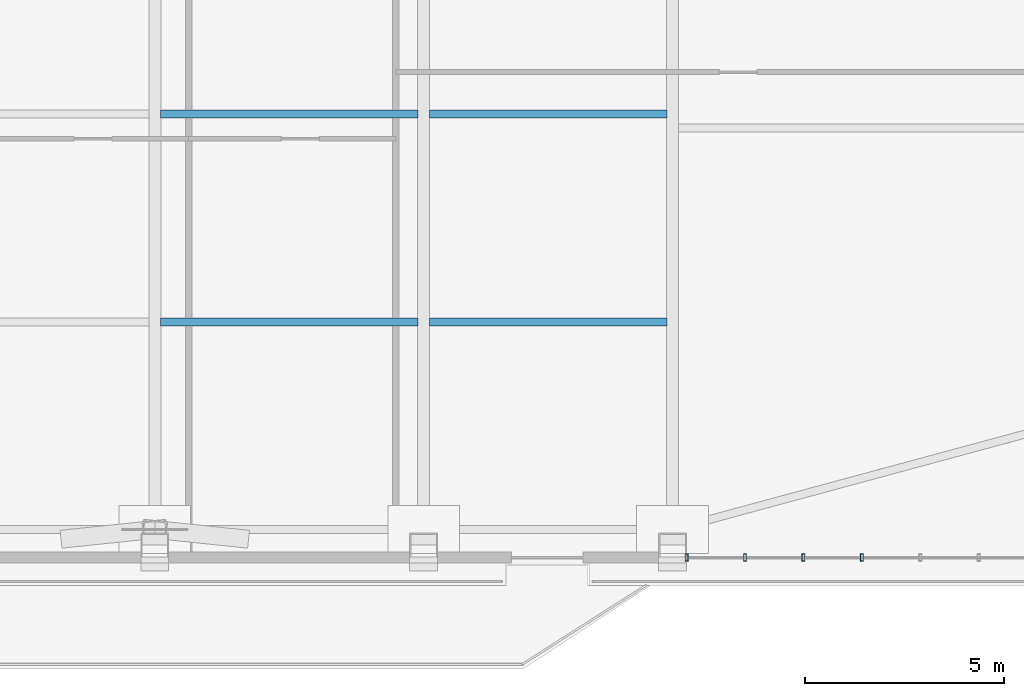
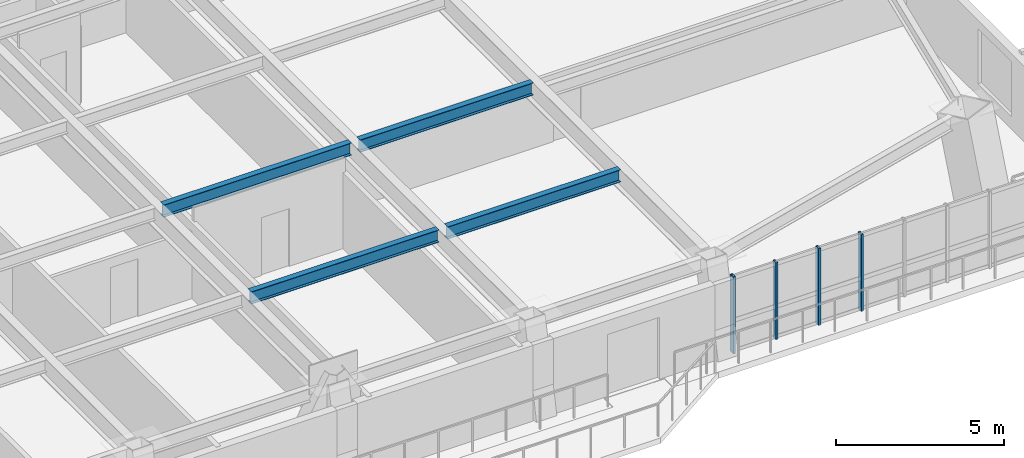
# One storey, part 4 of 16: 4 beams, 4 members, 1 element without a shape of its own.
"""IFC4 building model written with IfcOpenShell, lengths in metres."""

from ifc_helpers import new_model, si_unit, direction, frame, origin, origin_2d, place, context, subcontext, project, spatial, hollow_rectangle, i_section, extrude, source, transform, mapped, material, layer, layer_set, material_profile, profile_set, type_object, element, aggregate, save


model = new_model("IFC4")

# Units and contexts
model_context = context("Model", 3, precision=1e-05, world=origin(), true_north=direction((0.0, 1.0)))
body_context = subcontext(model_context, "Body", "Model", "MODEL_VIEW")
ifc_project = project(units=[si_unit("LENGTHUNIT", "METRE"), si_unit("AREAUNIT", "SQUARE_METRE"), si_unit("VOLUMEUNIT", "CUBIC_METRE"), si_unit("PLANEANGLEUNIT", "RADIAN"), si_unit("MASSUNIT", "GRAM", prefix="KILO")], contexts=[model_context])

# Site, building, storey
site_placement = place(None, origin())
site = spatial("IfcSite", under=ifc_project, at=site_placement, CompositionType="ELEMENT")
building_placement = place(site_placement, origin())
building = spatial("IfcBuilding", under=site, at=building_placement, Name="Giltprow Tower", CompositionType="ELEMENT")
storey_placement = place(building_placement, frame((0.0, 0.0, 199.199951171875)))
storey = spatial("IfcBuildingStorey", under=building, at=storey_placement, Name="L50", CompositionType="ELEMENT", Elevation=199.199951171875)

# Beams
ifc_material_1 = material(Name="Structural steel Q355B", Category="steel")
ifc_material_profile_1 = material_profile(ifc_material_1, i_section(OverallWidth=0.199951171875, OverallDepth=0.449951171875, WebThickness=0.009033203125, FlangeThickness=0.013916015625, at=origin_2d()), Name="HN 450x200x9x14")
ifc_profile_set_1 = profile_set([ifc_material_profile_1], Name="Structural steel Q355B")
beam_type = type_object("IfcBeamType", Name="BM-JOIST-HN450", PredefinedType="JOIST", material=ifc_profile_set_1)
shared_shape_1 = source(origin(), body_context, "Body", "SweptSolid", [
    extrude(i_section(OverallWidth=0.199951171875, OverallDepth=0.449951171875, WebThickness=0.009033203125, FlangeThickness=0.013916015625, at=origin_2d()), origin(), (0.0, 0.0, 1.0), 6.4599609375),
])
for number, where, z_axis, x_axis, name in (
    (1, (37.695068359375, 16.59912109375, 3.045166015625), (1.0, 0.0, 0.0), (0.0, 1.0, 0.0), "L50 Composite Floor Joist 1-3"),
    (2, (37.695068359375, 21.81201171875, 3.045166015625), (1.0, 0.0, 0.0), (0.0, 1.0, 0.0), "L50 Composite Floor Joist 2-3"),
):
    element("IfcBeam", number, at=place(storey_placement, frame(where, z_axis=z_axis, x_axis=x_axis)), inside=storey, type_object=beam_type, Name=name, PredefinedType="JOIST", context=body_context, shape_type="MappedRepresentation", body=[
        mapped(shared_shape_1, transform((0.0, 0.0, 0.0), x_axis=(1.0, 0.0, 0.0), y_axis=(0.0, 1.0, 0.0), z_axis=(0.0, 0.0, 1.0), scale=1.0)),
    ])
shared_shape_2 = source(origin(), body_context, "Body", "SweptSolid", [
    extrude(i_section(OverallWidth=0.199951171875, OverallDepth=0.449951171875, WebThickness=0.009033203125, FlangeThickness=0.013916015625, at=origin_2d()), origin(), (0.0, 0.0, 1.0), 5.9599609375),
])
for number, where, z_axis, x_axis, name in (
    (3, (44.445068359375, 16.59912109375, 3.045166015625), (1.0, 0.0, 0.0), (0.0, 1.0, 0.0), "L50 Composite Floor Joist 1-4"),
    (4, (44.445068359375, 21.81201171875, 3.045166015625), (1.0, 0.0, 0.0), (0.0, 1.0, 0.0), "L50 Composite Floor Joist 2-4"),
):
    element("IfcBeam", number, at=place(storey_placement, frame(where, z_axis=z_axis, x_axis=x_axis)), inside=storey, type_object=beam_type, Name=name, PredefinedType="JOIST", context=body_context, shape_type="MappedRepresentation", body=[
        mapped(shared_shape_2, transform((0.0, 0.0, 0.0), x_axis=(1.0, 0.0, 0.0), y_axis=(0.0, 1.0, 0.0), z_axis=(0.0, 0.0, 1.0), scale=1.0)),
    ])

# Curtain wall, members
ifc_material_2 = material(Name="Anodized bronze", Category="metal")
ifc_layer = layer(ifc_material_2, 0.179931640625, Name="Anodized bronze")
ifc_layer_set = layer_set([ifc_layer], Name="Anodized bronze")
curtain_wall_type = type_object("IfcCurtainWallType", Name="CW-HTL-BRONZE", PredefinedType="NOTDEFINED", material=ifc_layer_set)
curtain_wall_placement = place(storey_placement, origin())
curtain_wall = element("IfcCurtainWall", 5, at=curtain_wall_placement, inside=storey, type_object=curtain_wall_type, Name="L50 South Recessed Curtain Wall 6", PredefinedType="NOTDEFINED")
ifc_material_profile_2 = material_profile(ifc_material_2, hollow_rectangle(XDim=0.074951171875, YDim=0.179931640625, WallThickness=0.008056640625, at=origin_2d()), Name="RHS 180x75x8")
ifc_profile_set_2 = profile_set([ifc_material_profile_2], Name="Anodized bronze")
member_type = type_object("IfcMemberType", Name="CW-MULLION-180x75", PredefinedType="MULLION", material=ifc_profile_set_2)
shared_shape_3 = source(origin(), body_context, "Body", "SweptSolid", [
    extrude(hollow_rectangle(XDim=0.074951171875, YDim=0.179931640625, WallThickness=0.008056640625, at=origin_2d()), origin(), (0.0, 0.0, 1.0), 2.80517578125),
])
member_1_placement = place(storey_placement, frame((50.89990234375, 10.679931640625, -0.02001953125), z_axis=(0.0, 0.0, 1.0), x_axis=(1.0, 0.0, 0.0)))
member_1 = element("IfcMember", 6, at=member_1_placement, type_object=member_type, Name="L50 South Recessed Curtain Wall 6 Mullion 1", PredefinedType="MULLION", context=body_context, shape_type="MappedRepresentation", body=[
    mapped(shared_shape_3, transform((0.0, 0.0, 0.0), x_axis=(1.0, 0.0, 0.0), y_axis=(0.0, 1.0, 0.0), z_axis=(0.0, 0.0, 1.0), scale=1.0)),
])
member_2_placement = place(storey_placement, frame((52.367919921875, 10.679931640625, -0.02001953125), z_axis=(0.0, 0.0, 1.0), x_axis=(1.0, 0.0, 0.0)))
member_2 = element("IfcMember", 7, at=member_2_placement, type_object=member_type, Name="L50 South Recessed Curtain Wall 6 Mullion 2", PredefinedType="MULLION", context=body_context, shape_type="MappedRepresentation", body=[
    mapped(shared_shape_3, transform((0.0, 0.0, 0.0), x_axis=(1.0, 0.0, 0.0), y_axis=(0.0, 1.0, 0.0), z_axis=(0.0, 0.0, 1.0), scale=1.0)),
])
member_3_placement = place(storey_placement, frame((53.8359375, 10.679931640625, -0.02001953125), z_axis=(0.0, 0.0, 1.0), x_axis=(1.0, 0.0, 0.0)))
member_3 = element("IfcMember", 8, at=member_3_placement, type_object=member_type, Name="L50 South Recessed Curtain Wall 6 Mullion 3", PredefinedType="MULLION", context=body_context, shape_type="MappedRepresentation", body=[
    mapped(shared_shape_3, transform((0.0, 0.0, 0.0), x_axis=(1.0, 0.0, 0.0), y_axis=(0.0, 1.0, 0.0), z_axis=(0.0, 0.0, 1.0), scale=1.0)),
])
member_4_placement = place(storey_placement, frame((55.303955078125, 10.679931640625, -0.02001953125), z_axis=(0.0, 0.0, 1.0), x_axis=(1.0, 0.0, 0.0)))
member_4 = element("IfcMember", 9, at=member_4_placement, type_object=member_type, Name="L50 South Recessed Curtain Wall 6 Mullion 4", PredefinedType="MULLION", context=body_context, shape_type="MappedRepresentation", body=[
    mapped(shared_shape_3, transform((0.0, 0.0, 0.0), x_axis=(1.0, 0.0, 0.0), y_axis=(0.0, 1.0, 0.0), z_axis=(0.0, 0.0, 1.0), scale=1.0)),
])
aggregate(curtain_wall, [member_1, member_2, member_3, member_4])

save(model, "model.ifc")
